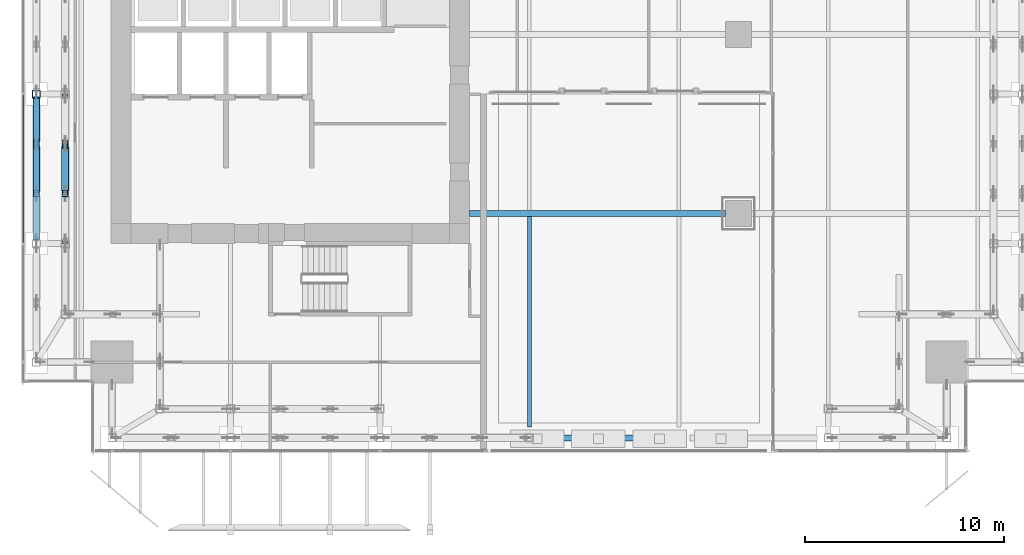
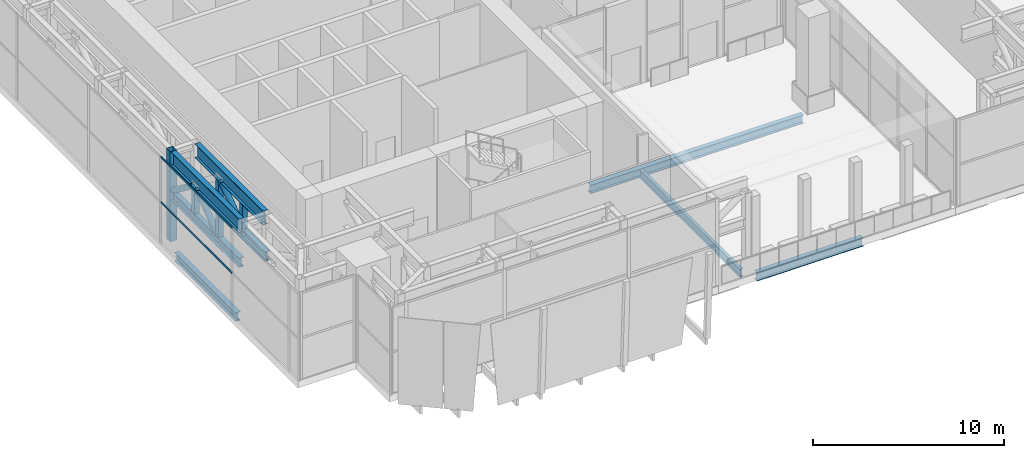
# One storey, part 6 of 47: 14 members, 4 beams, 1 element without a shape of its own.
"""IFC4 building model written with IfcOpenShell, lengths in metres."""

from ifc_helpers import new_model, si_unit, direction, frame, origin, origin_2d, place, context, subcontext, project, spatial, hollow_rectangle, hollow_circle, i_section, extrude, source, transform, mapped, material, material_profile, profile_set, type_object, element, aggregate, save


model = new_model("IFC4")

# Units and contexts
model_context = context("Model", 3, precision=1e-05, world=origin(), true_north=direction((0.0, 1.0)))
body_context = subcontext(model_context, "Body", "Model", "MODEL_VIEW")
ifc_project = project(units=[si_unit("LENGTHUNIT", "METRE"), si_unit("AREAUNIT", "SQUARE_METRE"), si_unit("VOLUMEUNIT", "CUBIC_METRE"), si_unit("PLANEANGLEUNIT", "RADIAN"), si_unit("MASSUNIT", "GRAM", prefix="KILO")], contexts=[model_context])

# Site, building, storey
site_placement = place(None, origin())
site = spatial("IfcSite", under=ifc_project, at=site_placement, CompositionType="ELEMENT")
building_placement = place(site_placement, origin())
building = spatial("IfcBuilding", under=site, at=building_placement, Name="Khomas Fold Tower", CompositionType="ELEMENT")
storey_placement = place(building_placement, frame((0.0, 0.0, 158.699951171875)))
storey = spatial("IfcBuildingStorey", under=building, at=storey_placement, Name="L34", CompositionType="ELEMENT", Elevation=158.699951171875)

# Beams
ifc_material_1 = material(Name="Steel S355", Category="steel")
ifc_material_profile_1 = material_profile(ifc_material_1, i_section(OverallWidth=0.300048828125, OverallDepth=0.550048828125, WebThickness=0.014892578125, FlangeThickness=0.029052734375, at=origin_2d()), Name="HE 550 B")
ifc_profile_set_1 = profile_set([ifc_material_profile_1], Name="Steel S355")
beam_type_1 = type_object("IfcBeamType", Name="HE 550 B spandrel SB2", PredefinedType="SPANDREL", material=ifc_profile_set_1)
shared_shape_1 = source(origin(), body_context, "Body", "SweptSolid", [
    extrude(i_section(OverallWidth=0.300048828125, OverallDepth=0.550048828125, WebThickness=0.014892578125, FlangeThickness=0.029052734375, at=origin_2d()), origin(), (0.0, 0.0, 1.0), 6.39990234375),
])
for number, where, z_axis, x_axis, name in (
    (1, (27.550048828125, 2.25, -0.724853515625), (1.0, 0.0, 0.0), (0.0, 1.0, 0.0), "SB2"),
    (2, (2.25, 12.550048828125, -0.724853515625), (0.0, 1.0, 0.0), (-1.0, 0.0, 0.0), "SB2"),
):
    element("IfcBeam", number, at=place(storey_placement, frame(where, z_axis=z_axis, x_axis=x_axis)), inside=storey, type_object=beam_type_1, Name=name, PredefinedType="SPANDREL", context=body_context, shape_type="MappedRepresentation", body=[
        mapped(shared_shape_1, transform((0.0, 0.0, 0.0))),
    ])
ifc_material_2 = material(Name="Steel S355", Category="steel")
ifc_material_profile_2 = material_profile(ifc_material_2, i_section(OverallWidth=0.300048828125, OverallDepth=0.550048828125, WebThickness=0.014892578125, FlangeThickness=0.029052734375, at=origin_2d()), Name="HE 550 B")
ifc_profile_set_2 = profile_set([ifc_material_profile_2], Name="Steel S355")
beam_type_2 = type_object("IfcBeamType", Name="HE 550 B beam GB4", PredefinedType="BEAM", material=ifc_profile_set_2)
shared_shape_2 = source(origin(), body_context, "Body", "SweptSolid", [
    extrude(i_section(OverallWidth=0.300048828125, OverallDepth=0.550048828125, WebThickness=0.014892578125, FlangeThickness=0.029052734375, at=origin_2d()), origin(), (0.0, 0.0, 1.0), 12.85009765625),
])
beam_1_placement = place(storey_placement, frame((24.0, 13.5, -0.724853515625), z_axis=(1.0, 0.0, 0.0), x_axis=(0.0, 1.0, 0.0)))
element("IfcBeam", 3, at=beam_1_placement, inside=storey, type_object=beam_type_2, Name="GB4", PredefinedType="BEAM", context=body_context, shape_type="MappedRepresentation", body=[
    mapped(shared_shape_2, transform((0.0, 0.0, 0.0))),
])
ifc_material_3 = material(Name="Steel S355", Category="steel")
ifc_material_profile_3 = material_profile(ifc_material_3, i_section(OverallWidth=0.199951171875, OverallDepth=0.5, WebThickness=0.01025390625, FlangeThickness=0.01611328125, at=origin_2d()), Name="IPE 500")
ifc_profile_set_3 = profile_set([ifc_material_profile_3], Name="Steel S355")
beam_type_3 = type_object("IfcBeamType", Name="IPE 500 beam JB5", PredefinedType="BEAM", material=ifc_profile_set_3)
shared_shape_3 = source(origin(), body_context, "Body", "SweptSolid", [
    extrude(i_section(OverallWidth=0.199951171875, OverallDepth=0.5, WebThickness=0.01025390625, FlangeThickness=0.01611328125, at=origin_2d()), origin(), (0.0, 0.0, 1.0), 10.550048828125),
])
beam_2_placement = place(storey_placement, frame((27.0, 2.800048828125, -0.699951171875), z_axis=(0.0, 1.0, 0.0), x_axis=(-1.0, 0.0, 0.0)))
element("IfcBeam", 4, at=beam_2_placement, inside=storey, type_object=beam_type_3, Name="JB5", PredefinedType="BEAM", context=body_context, shape_type="MappedRepresentation", body=[
    mapped(shared_shape_3, transform((0.0, 0.0, 0.0))),
])

# Members
ifc_material_4 = material(Name="Steel S355", Category="steel")
ifc_material_profile_4 = material_profile(ifc_material_4, hollow_rectangle(XDim=0.300048828125, YDim=0.300048828125, WallThickness=0.012451171875, at=origin_2d()), Name="SHS 300x300x12.5")
ifc_profile_set_4 = profile_set([ifc_material_profile_4], Name="Steel S355")
member_type_1 = type_object("IfcMemberType", Name="BELT TRUSS 2 MID POST SHS 300x300x12.5", PredefinedType="POST", material=ifc_profile_set_4)
shared_shape_4 = source(origin(), body_context, "Body", "SweptSolid", [
    extrude(hollow_rectangle(XDim=0.300048828125, YDim=0.300048828125, WallThickness=0.012451171875, at=origin_2d()), origin(), (0.0, 0.0, 1.0), 1.60009765625),
])
for number, where, z_axis, x_axis, name in (
    (5, (2.25, 17.0, 3.25), (0.0, 0.0, 1.0), (1.0, 0.0, 0.0), "BT2-M"),
    (6, (2.25, 14.5, 3.25), (0.0, 0.0, 1.0), (1.0, 0.0, 0.0), "BT2-M"),
    (7, (3.699951171875, 17.0, 3.25), (0.0, 0.0, 1.0), (1.0, 0.0, 0.0), "BT2-M"),
    (8, (3.699951171875, 14.5, 3.25), (0.0, 0.0, 1.0), (1.0, 0.0, 0.0), "BT2-M"),
):
    element("IfcMember", number, at=place(storey_placement, frame(where, z_axis=z_axis, x_axis=x_axis)), inside=storey, type_object=member_type_1, Name=name, PredefinedType="POST", context=body_context, shape_type="MappedRepresentation", body=[
        mapped(shared_shape_4, transform((0.0, 0.0, 0.0))),
    ])
ifc_material_5 = material(Name="Steel S460M", Category="steel")
ifc_material_profile_5 = material_profile(ifc_material_5, i_section(OverallWidth=0.300048828125, OverallDepth=0.89990234375, WebThickness=0.0185546875, FlangeThickness=0.034912109375, at=origin_2d()), Name="HE 900 B")
ifc_profile_set_5 = profile_set([ifc_material_profile_5], Name="Steel S460M")
member_type_2 = type_object("IfcMemberType", Name="BELT TRUSS 2 TOP CHORD HE 900 B", PredefinedType="CHORD", material=ifc_profile_set_5)
shared_shape_5 = source(origin(), body_context, "Body", "SweptSolid", [
    extrude(i_section(OverallWidth=0.300048828125, OverallDepth=0.89990234375, WebThickness=0.0185546875, FlangeThickness=0.034912109375, at=origin_2d()), origin(), (0.0, 0.0, 1.0), 7.10009765625),
])
for number, where, z_axis, x_axis, name in (
    (9, (2.25, 19.300048828125, 5.300048828125), (0.0, -1.0, 0.0), (1.0, 0.0, 0.0), "BT2-CT"),
    (10, (3.699951171875, 19.300048828125, 5.300048828125), (0.0, -1.0, 0.0), (1.0, 0.0, 0.0), "BT2-CT"),
):
    element("IfcMember", number, at=place(storey_placement, frame(where, z_axis=z_axis, x_axis=x_axis)), inside=storey, type_object=member_type_2, Name=name, PredefinedType="CHORD", context=body_context, shape_type="MappedRepresentation", body=[
        mapped(shared_shape_5, transform((0.0, 0.0, 0.0))),
    ])
ifc_material_6 = material(Name="Steel S355", Category="steel")
ifc_material_profile_6 = material_profile(ifc_material_6, i_section(OverallWidth=0.300048828125, OverallDepth=0.60009765625, WebThickness=0.015380859375, FlangeThickness=0.030029296875, at=origin_2d()), Name="HE 600 B")
ifc_profile_set_6 = profile_set([ifc_material_profile_6], Name="Steel S355")
member_type_3 = type_object("IfcMemberType", Name="BELT TRUSS 2 BOTTOM CHORD HE 600 B", PredefinedType="CHORD", material=ifc_profile_set_6)
shared_shape_6 = source(origin(), body_context, "Body", "SweptSolid", [
    extrude(i_section(OverallWidth=0.300048828125, OverallDepth=0.60009765625, WebThickness=0.015380859375, FlangeThickness=0.030029296875, at=origin_2d()), origin(), (0.0, 0.0, 1.0), 7.10009765625),
])
member_1_placement = place(storey_placement, frame((2.25, 19.300048828125, 2.949951171875), z_axis=(0.0, -1.0, 0.0), x_axis=(1.0, 0.0, 0.0)))
element("IfcMember", 11, at=member_1_placement, inside=storey, type_object=member_type_3, Name="BT2-CB", PredefinedType="CHORD", context=body_context, shape_type="MappedRepresentation", body=[
    mapped(shared_shape_6, transform((0.0, 0.0, 0.0))),
])
ifc_material_7 = material(Name="Steel S355", Category="steel")
ifc_material_profile_7 = material_profile(ifc_material_7, hollow_circle(Radius=0.177734375, WallThickness=0.01611328125, at=origin_2d()), Name="CHS 355.6x16")
ifc_profile_set_7 = profile_set([ifc_material_profile_7], Name="Steel S355")
member_type_4 = type_object("IfcMemberType", Name="BELT TRUSS 2 DIAGONAL CHS 355.6x16", PredefinedType="BRACE", material=ifc_profile_set_7)
shared_shape_7 = source(origin(), body_context, "Body", "SweptSolid", [
    extrude(hollow_circle(Radius=0.177734375, WallThickness=0.01611328125, at=origin_2d()), origin(), (0.0, 0.0, 1.0), 2.68603515625),
])
member_2_placement = place(storey_placement, frame((2.25, 19.300048828125, 3.2451171875), z_axis=(0.0, -0.800490552016, 0.599345372998), x_axis=(1.0, 0.0, 0.0)))
element("IfcMember", 12, at=member_2_placement, inside=storey, type_object=member_type_4, Name="BT2-D", PredefinedType="BRACE", context=body_context, shape_type="MappedRepresentation", body=[
    mapped(shared_shape_7, transform((0.0, 0.0, 0.0))),
])
shared_shape_8 = source(origin(), body_context, "Body", "SweptSolid", [
    extrude(hollow_circle(Radius=0.177734375, WallThickness=0.01611328125, at=origin_2d()), origin(), (0.0, 0.0, 1.0), 2.726318359375),
])
for number, where, z_axis, x_axis, name in (
    (13, (2.25, 16.85009765625, 4.85498046875), (0.0, -0.80703657096, -0.590501459044), (1.0, 0.0, 0.0), "BT2-D"),
    (14, (3.699951171875, 16.85009765625, 4.85498046875), (0.0, -0.80703657096, -0.590501459044), (1.0, 0.0, 0.0), "BT2-D"),
):
    element("IfcMember", number, at=place(storey_placement, frame(where, z_axis=z_axis, x_axis=x_axis)), inside=storey, type_object=member_type_4, Name=name, PredefinedType="BRACE", context=body_context, shape_type="MappedRepresentation", body=[
        mapped(shared_shape_8, transform((0.0, 0.0, 0.0))),
    ])
shared_shape_9 = source(origin(), body_context, "Body", "SweptSolid", [
    extrude(i_section(OverallWidth=0.300048828125, OverallDepth=0.60009765625, WebThickness=0.015380859375, FlangeThickness=0.030029296875, at=origin_2d()), origin(), (0.0, 0.0, 1.0), 7.5),
])
member_3_placement = place(storey_placement, frame((3.699951171875, 19.5, 2.949951171875), z_axis=(0.0, -1.0, 0.0), x_axis=(1.0, 0.0, 0.0)))
element("IfcMember", 15, at=member_3_placement, inside=storey, type_object=member_type_3, Name="BT2-CB", PredefinedType="CHORD", context=body_context, shape_type="MappedRepresentation", body=[
    mapped(shared_shape_9, transform((0.0, 0.0, 0.0))),
])
ifc_material_8 = material(Name="Steel S460M", Category="steel")
ifc_material_profile_8 = material_profile(ifc_material_8, hollow_rectangle(XDim=0.39990234375, YDim=0.39990234375, WallThickness=0.01611328125, at=origin_2d()), Name="SHS 400x400x16")
ifc_profile_set_8 = profile_set([ifc_material_profile_8], Name="Steel S460M")
member_type_5 = type_object("IfcMemberType", Name="BELT TRUSS 2 COLUMN POST SHS 400x400x16", PredefinedType="POST", material=ifc_profile_set_8)
shared_shape_10 = source(origin(), body_context, "Body", "SweptSolid", [
    extrude(hollow_rectangle(XDim=0.39990234375, YDim=0.39990234375, WallThickness=0.01611328125, at=origin_2d()), origin(), (0.0, 0.0, 1.0), 5.75),
])
member_4_placement = place(storey_placement, frame((2.25, 19.5, 0.0), z_axis=(0.0, 0.0, 1.0), x_axis=(1.0, 0.0, 0.0)))
element("IfcMember", 16, at=member_4_placement, inside=storey, type_object=member_type_5, Name="BT2-P", PredefinedType="POST", context=body_context, shape_type="MappedRepresentation", body=[
    mapped(shared_shape_10, transform((0.0, 0.0, 0.0))),
])

# Curtain wall, members
ifc_material_9 = material(Name="Aluminium framed double glazing", Category="aluminium")
curtain_wall_type = type_object("IfcCurtainWallType", Name="SK-Unitised clear-glass wall, growing floors CW1", PredefinedType="NOTDEFINED", material=ifc_material_9)
curtain_wall_placement = place(storey_placement, origin())
curtain_wall = element("IfcCurtainWall", 17, at=curtain_wall_placement, inside=storey, type_object=curtain_wall_type, Name="CW1 run L34 18-0", PredefinedType="NOTDEFINED")
ifc_material_10 = material(Name="Aluminium", Category="aluminium")
ifc_material_profile_9 = material_profile(ifc_material_10, hollow_rectangle(XDim=0.06005859375, YDim=0.1201171875, WallThickness=0.00390625, at=origin_2d()), Name="SK-Unitised clear-glass wall, growing floors transom CW1-T")
ifc_profile_set_9 = profile_set([ifc_material_profile_9], Name="Aluminium")
member_type_6 = type_object("IfcMemberType", Name="SK-Unitised clear-glass wall, growing floors transom CW1-T", PredefinedType="USERDEFINED", material=ifc_profile_set_9)
shared_shape_11 = source(origin(), body_context, "Body", "SweptSolid", [
    extrude(hollow_rectangle(XDim=0.06005859375, YDim=0.1201171875, WallThickness=0.00390625, at=origin_2d()), origin(), (0.0, 0.0, 1.0), 7.43994140625),
])
member_5_placement = place(storey_placement, frame((1.60009765625, 19.469970703125, 5.489990234375), z_axis=(0.0, -1.0, 0.0), x_axis=(1.0, 0.0, 0.0)))
member_5 = element("IfcMember", 18, at=member_5_placement, type_object=member_type_6, Name="CW1 transom 6", ObjectType="TRANSOM", PredefinedType="USERDEFINED", context=body_context, shape_type="MappedRepresentation", body=[
    mapped(shared_shape_11, transform((0.0, 0.0, 0.0))),
])
member_6_placement = place(storey_placement, frame((1.60009765625, 19.469970703125, 2.6171875), z_axis=(0.0, -1.0, 0.0), x_axis=(1.0, 0.0, 0.0)))
member_6 = element("IfcMember", 19, at=member_6_placement, type_object=member_type_6, Name="CW1 transom 6 (truss floor)", ObjectType="TRANSOM", PredefinedType="USERDEFINED", context=body_context, shape_type="MappedRepresentation", body=[
    mapped(shared_shape_11, transform((0.0, 0.0, 0.0))),
])
aggregate(curtain_wall, [member_5, member_6])

save(model, "model.ifc")
